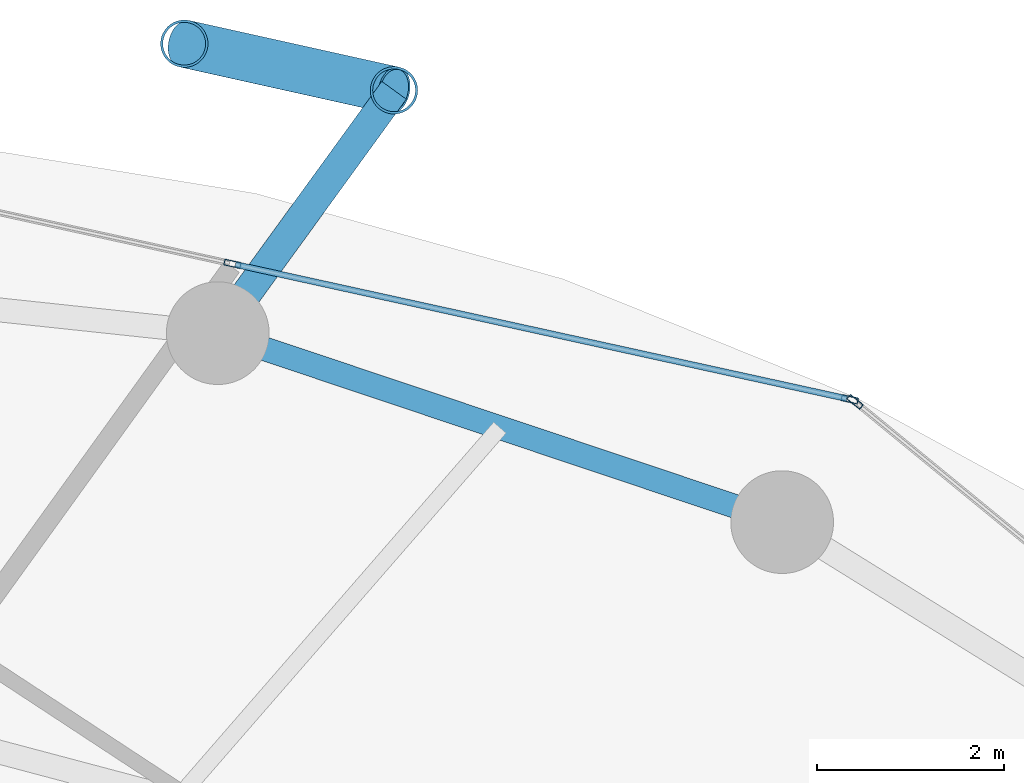
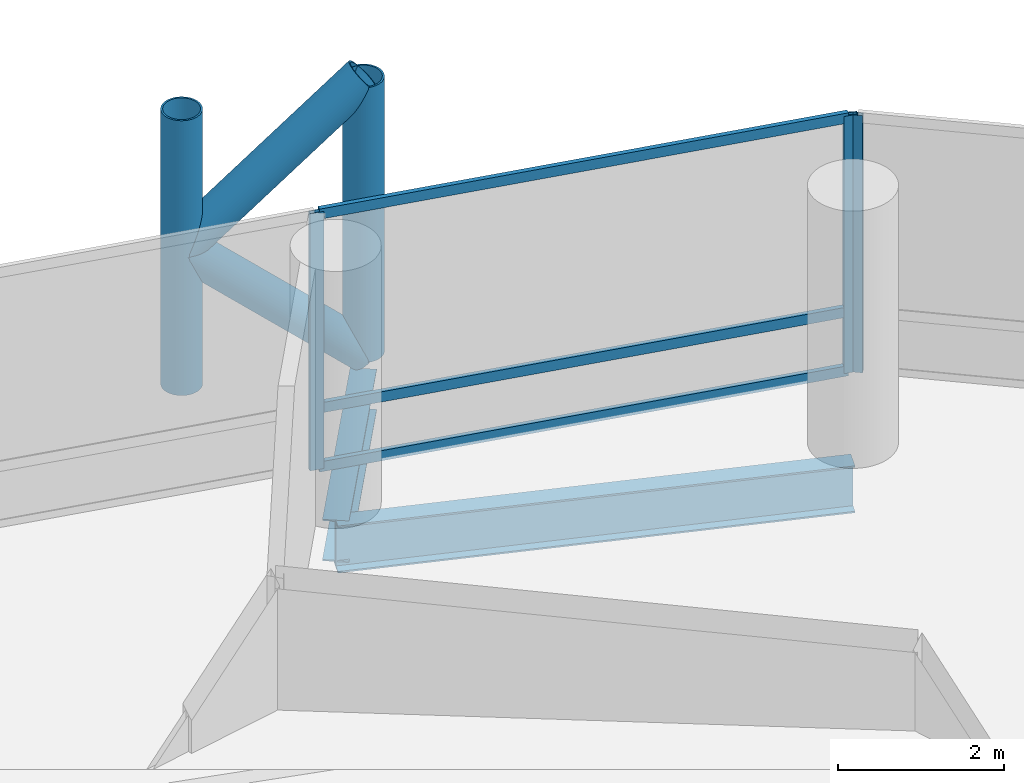
# One storey, part 18 of 24: 10 members, 2 beams, 2 elements without a shape of their own.
"""IFC4 building model written with IfcOpenShell, lengths in metres."""

from ifc_helpers import new_model, si_unit, direction, frame, origin, origin_2d, place, context, subcontext, project, spatial, hollow_rectangle, hollow_circle, i_section, extrude, material, layer, layer_set, material_profile, profile_set, type_object, element, aggregate, save


model = new_model("IFC4")

# Units and contexts
model_context = context("Model", 3, precision=1e-05, world=origin(), true_north=direction((0.0, 1.0)))
body_context = subcontext(model_context, "Body", "Model", "MODEL_VIEW")
ifc_project = project(units=[si_unit("LENGTHUNIT", "METRE"), si_unit("AREAUNIT", "SQUARE_METRE"), si_unit("VOLUMEUNIT", "CUBIC_METRE"), si_unit("PLANEANGLEUNIT", "RADIAN"), si_unit("MASSUNIT", "GRAM", prefix="KILO")], contexts=[model_context])

# Site, building, storey
site_placement = place(None, origin())
site = spatial("IfcSite", under=ifc_project, at=site_placement, CompositionType="ELEMENT")
building_placement = place(site_placement, origin())
building = spatial("IfcBuilding", under=site, at=building_placement, Name="Nuhasar Tower", CompositionType="ELEMENT")
storey_placement = place(building_placement, frame((0.0, 0.0, 25.050048828125)))
storey = spatial("IfcBuildingStorey", under=building, at=storey_placement, Name="L05", CompositionType="ELEMENT", Elevation=25.050048828125)

# Beams
ifc_material_1 = material(Name="Steel S355", Category="steel")
ifc_material_profile_1 = material_profile(ifc_material_1, i_section(OverallWidth=0.256103515625, OverallDepth=0.693115234375, WebThickness=0.014404296875, FlangeThickness=0.023681640625, at=origin_2d()), Name="W27X114")
ifc_profile_set_1 = profile_set([ifc_material_profile_1], Name="Steel S355")
beam_type_1 = type_object("IfcBeamType", Name="BM-RING-W27X114", PredefinedType="SPANDREL", material=ifc_profile_set_1)
beam_1_placement = place(storey_placement, frame((51.52490234375, 44.3369140625, -0.60595703125), z_axis=(-0.948249435708, 0.317526388949, 0.0), x_axis=(-0.317526388949, -0.948249435708, 0.0)))
element("IfcBeam", 1, at=beam_1_placement, inside=storey, type_object=beam_type_1, Name="L05 Perimeter Ring Spandrel 05", PredefinedType="SPANDREL", context=body_context, shape_type="SweptSolid", body=[
    extrude(i_section(OverallWidth=0.256103515625, OverallDepth=0.693115234375, WebThickness=0.014404296875, FlangeThickness=0.023681640625, at=origin_2d()), origin(), (0.0, 0.0, 1.0), 6.371826171875),
])
ifc_material_profile_2 = material_profile(ifc_material_1, i_section(OverallWidth=0.323974609375, OverallDepth=0.611083984375, WebThickness=0.0126953125, FlangeThickness=0.01904296875, at=origin_2d()), Name="W24X104")
ifc_profile_set_2 = profile_set([ifc_material_profile_2], Name="Steel S355")
beam_type_2 = type_object("IfcBeamType", Name="BM-TIE-W24X104", PredefinedType="BEAM", material=ifc_profile_set_2)
beam_2_placement = place(storey_placement, frame((45.48291015625, 46.360107421875, -0.56494140625), z_axis=(0.587439442414, 0.809268127073, 0.0), x_axis=(-0.809268127073, 0.587439442414, 0.0)))
element("IfcBeam", 2, at=beam_2_placement, inside=storey, type_object=beam_type_2, Name="L05 Exoskeleton Node Tie Beam 03", PredefinedType="BEAM", context=body_context, shape_type="SweptSolid", body=[
    extrude(i_section(OverallWidth=0.323974609375, OverallDepth=0.611083984375, WebThickness=0.0126953125, FlangeThickness=0.01904296875, at=origin_2d()), origin(), (0.0, 0.0, 1.0), 3.212646484375),
])

# Curtain wall, member
ifc_material_2 = material(Name="Aluminium 6063-T6", Category="aluminium")
ifc_layer = layer(ifc_material_2, 0.199951171875)
ifc_layer_set = layer_set([ifc_layer], Name="Aluminium 6063-T6")
curtain_wall_type = type_object("IfcCurtainWallType", Name="CW-Z1-OFF", PredefinedType="NOTDEFINED", material=ifc_layer_set)
curtain_wall_1_placement = place(storey_placement, origin())
curtain_wall_1 = element("IfcCurtainWall", 3, at=curtain_wall_1_placement, inside=storey, type_object=curtain_wall_type, Name="L05 Unitised Curtain Wall 02", PredefinedType="NOTDEFINED")
ifc_material_profile_3 = material_profile(ifc_material_2, hollow_rectangle(XDim=0.06494140625, YDim=0.179931640625, WallThickness=0.0048828125, at=origin_2d()), Name="CWM-2")
ifc_profile_set_3 = profile_set([ifc_material_profile_3], Name="Aluminium 6063-T6")
member_type_1 = type_object("IfcMemberType", Name="CW-MUL-S2", PredefinedType="MULLION", material=ifc_profile_set_3)
member_1_placement = place(storey_placement, frame((52.30517578125, 45.62451171875, 0.0), z_axis=(0.0, 0.0, 1.0), x_axis=(-0.633744593376, -0.773542364946, 0.0)))
member_1 = element("IfcMember", 4, at=member_1_placement, type_object=member_type_1, Name="CW-Z1 mullion 2", PredefinedType="MULLION", context=body_context, shape_type="SweptSolid", body=[
    extrude(hollow_rectangle(XDim=0.06494140625, YDim=0.179931640625, WallThickness=0.0048828125, at=origin_2d()), origin(), (0.0, 0.0, 1.0), 3.7900390625),
])
aggregate(curtain_wall_1, [member_1])

# Curtain wall, members
curtain_wall_2_placement = place(storey_placement, origin())
curtain_wall_2 = element("IfcCurtainWall", 5, at=curtain_wall_2_placement, inside=storey, type_object=curtain_wall_type, Name="L05 Unitised Curtain Wall 03", PredefinedType="NOTDEFINED")
member_2_placement = place(storey_placement, frame((52.248291015625, 45.65185546875, 0.0), z_axis=(0.0, 0.0, 1.0), x_axis=(-0.214398737637, -0.976746221544, 0.0)))
member_2 = element("IfcMember", 6, at=member_2_placement, type_object=member_type_1, Name="CW-Z1 mullion 1", PredefinedType="MULLION", context=body_context, shape_type="SweptSolid", body=[
    extrude(hollow_rectangle(XDim=0.06494140625, YDim=0.179931640625, WallThickness=0.0048828125, at=origin_2d()), origin(), (0.0, 0.0, 1.0), 3.7900390625),
])
member_3_placement = place(storey_placement, frame((45.639892578125, 47.1025390625, 0.0), z_axis=(0.0, 0.0, 1.0), x_axis=(-0.214398737637, -0.976746221544, 0.0)))
member_3 = element("IfcMember", 7, at=member_3_placement, type_object=member_type_1, Name="CW-Z1 mullion 2", PredefinedType="MULLION", context=body_context, shape_type="SweptSolid", body=[
    extrude(hollow_rectangle(XDim=0.06494140625, YDim=0.179931640625, WallThickness=0.0048828125, at=origin_2d()), origin(), (0.0, 0.0, 1.0), 3.7900390625),
])
ifc_material_profile_4 = material_profile(ifc_material_2, hollow_rectangle(XDim=0.06494140625, YDim=0.14990234375, WallThickness=0.00439453125, at=origin_2d()), Name="CWT-2")
ifc_profile_set_4 = profile_set([ifc_material_profile_4], Name="Aluminium 6063-T6")
member_type_2 = type_object("IfcMemberType", Name="CW-TRN-S2", PredefinedType="USERDEFINED", material=ifc_profile_set_4)
member_4_placement = place(storey_placement, frame((52.216552734375, 45.658935546875, 0.032470703125), z_axis=(-0.976749553792, 0.214383556196, 0.0), x_axis=(-0.214383556196, -0.976749553792, 0.0)))
member_4 = element("IfcMember", 8, at=member_4_placement, type_object=member_type_2, Name="CW-Z1 transom 1.1", ObjectType="TRANSOM", PredefinedType="USERDEFINED", context=body_context, shape_type="SweptSolid", body=[
    extrude(hollow_rectangle(XDim=0.06494140625, YDim=0.14990234375, WallThickness=0.00439453125, at=origin_2d()), origin(), (0.0, 0.0, 1.0), 6.70068359375),
])
member_5_placement = place(storey_placement, frame((52.216552734375, 45.658935546875, 0.89990234375), z_axis=(-0.976749553792, 0.214383556196, 0.0), x_axis=(-0.214383556196, -0.976749553792, 0.0)))
member_5 = element("IfcMember", 9, at=member_5_placement, type_object=member_type_2, Name="CW-Z1 transom 1.2", ObjectType="TRANSOM", PredefinedType="USERDEFINED", context=body_context, shape_type="SweptSolid", body=[
    extrude(hollow_rectangle(XDim=0.06494140625, YDim=0.14990234375, WallThickness=0.00439453125, at=origin_2d()), origin(), (0.0, 0.0, 1.0), 6.70068359375),
])
member_6_placement = place(storey_placement, frame((52.216552734375, 45.658935546875, 3.757568359375), z_axis=(-0.976749553792, 0.214383556196, 0.0), x_axis=(-0.214383556196, -0.976749553792, 0.0)))
member_6 = element("IfcMember", 10, at=member_6_placement, type_object=member_type_2, Name="CW-Z1 transom 1.3", ObjectType="TRANSOM", PredefinedType="USERDEFINED", context=body_context, shape_type="SweptSolid", body=[
    extrude(hollow_rectangle(XDim=0.06494140625, YDim=0.14990234375, WallThickness=0.00439453125, at=origin_2d()), origin(), (0.0, 0.0, 1.0), 6.70068359375),
])
aggregate(curtain_wall_2, [member_2, member_3, member_4, member_5, member_6])

# Members
ifc_material_3 = material(Name="Steel S460", Category="steel")
ifc_material_profile_5 = material_profile(ifc_material_3, hollow_circle(Radius=0.25390625, WallThickness=0.025390625, at=origin_2d()), Name="HSS508X25.4")
ifc_profile_set_5 = profile_set([ifc_material_profile_5], Name="Steel S460")
member_type_3 = type_object("IfcMemberType", Name="EXO-BRONZE-508", PredefinedType="BRACE", material=ifc_profile_set_5)
for number, where, z_axis, x_axis, name in (
    (11, (47.3701171875, 48.9599609375, 0.0), (0.0, 0.0, 1.0), (1.0, 0.0, 0.0), "L05 Exoskeleton Chord Column EC-03A"),
    (12, (45.1240234375, 49.458984375, 0.0), (0.0, 0.0, 1.0), (1.0, 0.0, 0.0), "L05 Exoskeleton Chord Column EC-03B"),
):
    element("IfcMember", number, at=place(storey_placement, frame(where, z_axis=z_axis, x_axis=x_axis)), inside=storey, type_object=member_type_3, Name=name, PredefinedType="BRACE", context=body_context, shape_type="SweptSolid", body=[
        extrude(hollow_circle(Radius=0.25390625, WallThickness=0.025390625, at=origin_2d()), origin(), (0.0, 0.0, 1.0), 4.050048828125),
    ])
member_7_placement = place(storey_placement, frame((47.3701171875, 48.9599609375, 0.0), z_axis=(-0.732821471909, 0.162813813976, 0.660654487828), x_axis=(-0.216885517571, -0.97619704582, 0.0)))
element("IfcMember", 13, at=member_7_placement, inside=storey, type_object=member_type_3, Name="L05 Bronze Diagrid Brace W1-03", PredefinedType="BRACE", context=body_context, shape_type="SweptSolid", body=[
    extrude(hollow_circle(Radius=0.25390625, WallThickness=0.025390625, at=origin_2d()), origin(), (0.0, 0.0, 1.0), 3.06494140625),
])
member_8_placement = place(storey_placement, frame((45.1240234375, 49.458984375, 2.02490234375), z_axis=(0.732782908552, -0.162805246204, 0.660699372439), x_axis=(0.216885517571, 0.97619704582, 0.0)))
element("IfcMember", 14, at=member_8_placement, inside=storey, type_object=member_type_3, Name="L05 Bronze Diagrid Brace W2-03", PredefinedType="BRACE", context=body_context, shape_type="SweptSolid", body=[
    extrude(hollow_circle(Radius=0.25390625, WallThickness=0.025390625, at=origin_2d()), origin(), (0.0, 0.0, 1.0), 3.065185546875),
])

save(model, "model.ifc")
